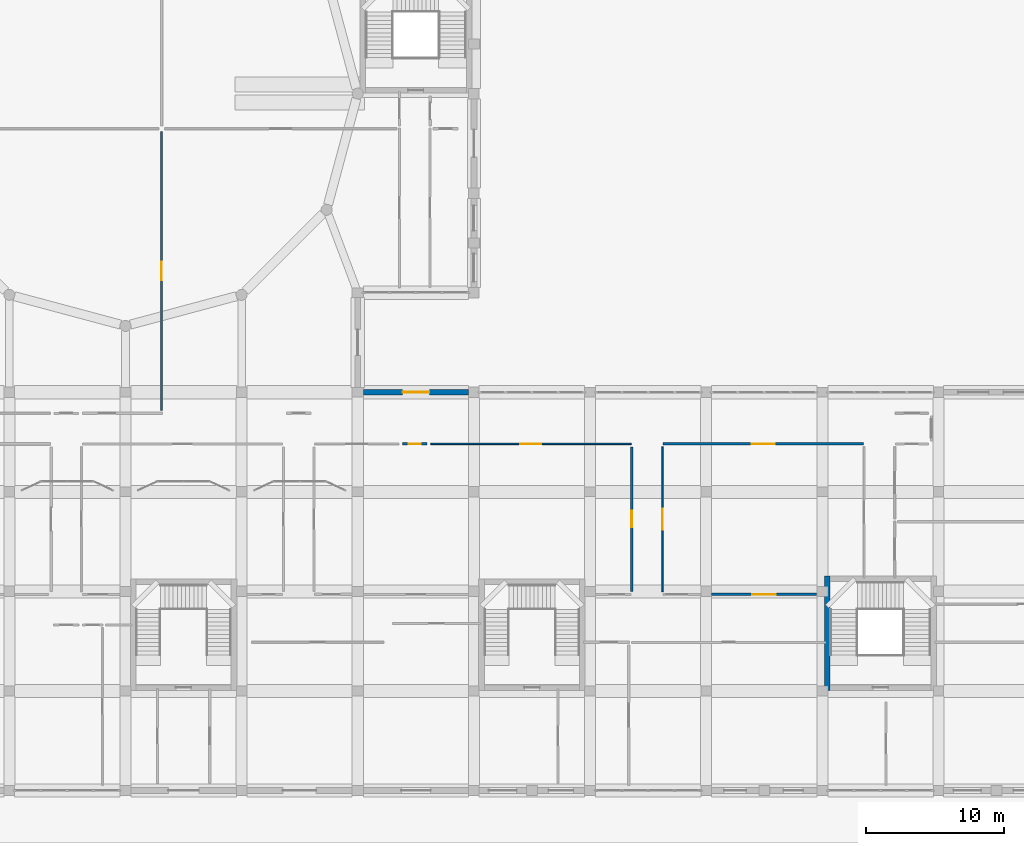
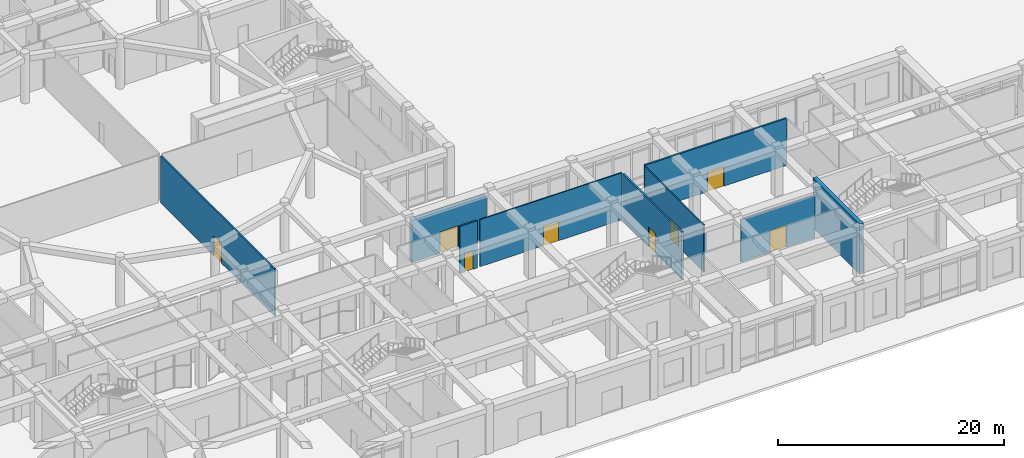
# One storey, part 68 of 84: 9 walls, 8 doors, 8 openings.
"""IFC4 building model written with IfcOpenShell, lengths in metres."""

from ifc_helpers import new_model, si_unit, derived_unit, direction, frame, frame_2d, origin, place, context, subcontext, project, spatial, rectangle, extrude, material, layer, layer_set, type_object, element, fill, save


model = new_model("IFC4")

# Units and contexts
model_context = context("Model", 3, precision=1e-05, world=origin(), true_north=direction((0.0, 1.0)))
body_context = subcontext(model_context, "Body", "Model", "MODEL_VIEW")
ifc_project = project(units=[si_unit("LENGTHUNIT", "METRE"), si_unit("AREAUNIT", "SQUARE_METRE"), si_unit("VOLUMEUNIT", "CUBIC_METRE"), si_unit("PLANEANGLEUNIT", "RADIAN"), si_unit("MASSUNIT", "GRAM", prefix="KILO"), derived_unit("THERMALTRANSMITTANCEUNIT", [(si_unit("POWERUNIT", "WATT"), 1), (si_unit("LENGTHUNIT", "METRE"), -2), (si_unit("THERMODYNAMICTEMPERATUREUNIT", "KELVIN"), -1)])], contexts=[model_context])

# Site, building, storey
site_placement = place(None, origin())
site = spatial("IfcSite", under=ifc_project, at=site_placement, CompositionType="ELEMENT")
building_placement = place(site_placement, origin())
building = spatial("IfcBuilding", under=site, at=building_placement, Name="Veybourne Emporium", CompositionType="ELEMENT")
storey_placement = place(building_placement, origin())
storey = spatial("IfcBuildingStorey", under=building, at=storey_placement, Name="L00", CompositionType="ELEMENT", Elevation=0.0)

# Wall, opening, door
ifc_material_1 = material(Name="Honed Black Granite Plinth", Category="masonry")
ifc_layer_1 = layer(ifc_material_1, 0.419921875)
ifc_layer_set_1 = layer_set([ifc_layer_1], Name="Honed Black Granite Plinth")
wall_type_1 = type_object("IfcWallType", Name="ExtWall_EW-02", PredefinedType="SOLIDWALL", material=ifc_layer_set_1)
wall_1_placement = place(storey_placement, frame((92.800048828125, 28.800048828125, 0.0), z_axis=(0.0, 0.0, 1.0), x_axis=(1.0, 0.0, 0.0)))
wall_1 = element("IfcWall", 1, at=wall_1_placement, inside=storey, type_object=wall_type_1, Name="Ground street granite plinth entrance wall 041", PredefinedType="SOLIDWALL", context=body_context, shape_type="SweptSolid", body=[
    extrude(rectangle(XDim=7.625, YDim=0.419921875, at=frame_2d((3.8125, 0.0))), origin(), (0.0, 0.0, 1.0), 4.530029296875),
])
opening_1_placement = place(wall_1_placement, frame((2.83740234375, 0.0, 0.0)))
opening_1 = element("IfcOpeningElement", 2, at=opening_1_placement, cuts=wall_1, Name="Opening EX-06", PredefinedType="OPENING", context=body_context, shape_type="SweptSolid", body=[
    extrude(rectangle(XDim=1.949951171875, YDim=2.300048828125, at=frame_2d((0.97509765625, 1.14990234375))), frame((0.0, 0.22998046875, 0.0), z_axis=(0.0, -1.0, 0.0), x_axis=(1.0, 0.0, 0.0)), (0.0, 0.0, 1.0), 0.4599609375),
])
ifc_material_2 = material(Name="Patinated Architectural Bronze", Category="bronze")
door_type_1 = type_object("IfcDoorType", Name="ExitDoor_EX-06", OperationType="DOUBLE_DOOR_SINGLE_SWING", PredefinedType="DOOR", material=ifc_material_2)
door_1_placement = place(opening_1_placement, origin())
door_1 = element("IfcDoor", 3, at=door_1_placement, inside=storey, type_object=door_type_1, Name="Pedestrian final exit door EX-06 #23", OperationType="DOUBLE_DOOR_SINGLE_SWING", OverallHeight=2.300048828125, OverallWidth=1.949951171875, PredefinedType="DOOR", context=body_context, shape_type="SweptSolid", body=[
    extrude(rectangle(XDim=1.949951171875, YDim=2.300048828125, at=frame_2d((0.97509765625, 1.14990234375))), frame((0.0, 0.02490234375, 0.0), z_axis=(0.0, -1.0, 0.0), x_axis=(1.0, 0.0, 0.0)), (0.0, 0.0, 1.0), 0.050048828125),
])
fill(opening_1, door_1)

# Wall
ifc_material_3 = material(Name="Concrete C40/50", Category="concrete")
ifc_layer_2 = layer(ifc_material_3, 0.39990234375)
ifc_layer_set_2 = layer_set([ifc_layer_2], Name="Concrete C40/50")
wall_type_2 = type_object("IfcWallType", Name="IntWall_CW-01", PredefinedType="SHEAR", material=ifc_layer_set_2)
wall_2_placement = place(storey_placement, frame((126.35009765625, 15.5, 0.0), z_axis=(0.0, 0.0, 1.0), x_axis=(0.0, -1.0, 0.0)))
element("IfcWall", 4, at=wall_2_placement, inside=storey, type_object=wall_type_2, Name="Core stair ST-06 west shear wall (L00)", PredefinedType="SHEAR", context=body_context, shape_type="SweptSolid", body=[
    extrude(rectangle(XDim=8.25, YDim=0.39990234375, at=frame_2d((4.125, 0.0))), origin(), (0.0, 0.0, 1.0), 5.39990234375),
])

# Wall, opening, door
ifc_material_4 = material(Name="Gypsum Acoustic Board", Category="gypsum")
ifc_layer_3 = layer(ifc_material_4, 0.179931640625)
ifc_layer_set_3 = layer_set([ifc_layer_3], Name="Gypsum Acoustic Board")
wall_type_3 = type_object("IfcWallType", Name="IntWall_IW-01", PredefinedType="PARTITIONING", material=ifc_layer_set_3)
wall_3_placement = place(storey_placement, frame((114.47998046875, 25.070068359375, 0.0), z_axis=(0.0, 0.0, 1.0), x_axis=(1.0, 0.0, 0.0)))
wall_3 = element("IfcWall", 5, at=wall_3_placement, inside=storey, type_object=wall_type_3, Name="L00 interior partition IW-01 #044", PredefinedType="PARTITIONING", context=body_context, shape_type="SweptSolid", body=[
    extrude(rectangle(XDim=14.489990234375, YDim=0.179931640625, at=frame_2d((7.2451171875, 0.0))), origin(), (0.0, 0.0, 1.0), 5.080078125),
])
opening_2_placement = place(wall_3_placement, frame((6.405029296875, 0.0, 0.0)))
opening_2 = element("IfcOpeningElement", 6, at=opening_2_placement, cuts=wall_3, Name="Opening D-12", PredefinedType="OPENING", context=body_context, shape_type="SweptSolid", body=[
    extrude(rectangle(XDim=1.679931640625, YDim=2.1298828125, at=frame_2d((0.83984375, 1.06494140625))), frame((0.0, 0.10986328125, 0.0), z_axis=(0.0, -1.0, 0.0), x_axis=(1.0, 0.0, 0.0)), (0.0, 0.0, 1.0), 0.219970703125),
])
ifc_material_5 = material(Name="European Oak Veneer and Bronze", Category="wood")
door_type_2 = type_object("IfcDoorType", Name="IntDoor_D-12", OperationType="DOUBLE_DOOR_SINGLE_SWING", PredefinedType="DOOR", material=ifc_material_5)
door_2_placement = place(opening_2_placement, frame((1.679931640625, 0.0, 0.0), z_axis=(0.0, 0.0, 1.0), x_axis=(-1.0, 0.0, 0.0)))
door_2 = element("IfcDoor", 7, at=door_2_placement, inside=storey, type_object=door_type_2, Name="L00 interior door D-12 (PART-L00-044)", OperationType="DOUBLE_DOOR_SINGLE_SWING", OverallHeight=2.1298828125, OverallWidth=1.679931640625, PredefinedType="DOOR", context=body_context, shape_type="SweptSolid", body=[
    extrude(rectangle(XDim=1.679931640625, YDim=2.1298828125, at=frame_2d((0.83984375, 1.06494140625))), frame((0.0, 0.02490234375, 0.0), z_axis=(0.0, -1.0, 0.0), x_axis=(1.0, 0.0, 0.0)), (0.0, 0.0, 1.0), 0.050048828125),
])
fill(opening_2, door_2)

wall_4_placement = place(storey_placement, frame((117.9951171875, 14.179931640625, 0.0), z_axis=(0.0, 0.0, 1.0), x_axis=(1.0, 0.0, 0.0)))
wall_4 = element("IfcWall", 8, at=wall_4_placement, inside=storey, type_object=wall_type_3, Name="L00 interior partition IW-01 #062", PredefinedType="PARTITIONING", context=body_context, shape_type="SweptSolid", body=[
    extrude(rectangle(XDim=7.5849609375, YDim=0.179931640625, at=frame_2d((3.79248046875, 0.0))), origin(), (0.0, 0.0, 1.0), 4.580078125),
])
opening_3_placement = place(wall_4_placement, frame((2.952392578125, 0.0, 0.0)))
opening_3 = element("IfcOpeningElement", 9, at=opening_3_placement, cuts=wall_4, Name="Opening D-30", PredefinedType="OPENING", context=body_context, shape_type="SweptSolid", body=[
    extrude(rectangle(XDim=1.679931640625, YDim=2.3701171875, at=frame_2d((0.83984375, 1.18505859375))), frame((0.0, 0.10986328125, 0.0), z_axis=(0.0, -1.0, 0.0), x_axis=(1.0, 0.0, 0.0)), (0.0, 0.0, 1.0), 0.219970703125),
])
door_type_3 = type_object("IfcDoorType", Name="IntDoor_D-30", OperationType="DOUBLE_DOOR_SINGLE_SWING", PredefinedType="DOOR", material=ifc_material_5)
door_3_placement = place(opening_3_placement, origin())
door_3 = element("IfcDoor", 10, at=door_3_placement, inside=storey, type_object=door_type_3, Name="L00 interior door D-30 (PART-L00-062)", OperationType="DOUBLE_DOOR_SINGLE_SWING", OverallHeight=2.3701171875, OverallWidth=1.679931640625, PredefinedType="DOOR", context=body_context, shape_type="SweptSolid", body=[
    extrude(rectangle(XDim=1.679931640625, YDim=2.3701171875, at=frame_2d((0.83984375, 1.18505859375))), frame((0.0, 0.02490234375, 0.0), z_axis=(0.0, -1.0, 0.0), x_axis=(1.0, 0.0, 0.0)), (0.0, 0.0, 1.0), 0.050048828125),
])
fill(opening_3, door_3)

wall_5_placement = place(storey_placement, frame((112.219970703125, 14.389892578125, 0.0), z_axis=(0.0, 0.0, 1.0), x_axis=(0.0, 1.0, 0.0)))
wall_5 = element("IfcWall", 11, at=wall_5_placement, inside=storey, type_object=wall_type_3, Name="L00 interior partition IW-01 #077", PredefinedType="PARTITIONING", context=body_context, shape_type="SweptSolid", body=[
    extrude(rectangle(XDim=10.47021484375, YDim=0.179931640625, at=frame_2d((5.235107421875, 0.0))), origin(), (0.0, 0.0, 1.0), 5.080078125),
])
opening_4_placement = place(wall_5_placement, frame((4.635009765625, 0.0, 0.0)))
opening_4 = element("IfcOpeningElement", 12, at=opening_4_placement, cuts=wall_5, Name="Opening D-09", PredefinedType="OPENING", context=body_context, shape_type="SweptSolid", body=[
    extrude(rectangle(XDim=1.199951171875, YDim=2.1298828125, at=frame_2d((0.60009765625, 1.06494140625))), frame((0.0, 0.10986328125, 0.0), z_axis=(0.0, -1.0, 0.0), x_axis=(1.0, 0.0, 0.0)), (0.0, 0.0, 1.0), 0.219970703125),
])
door_type_4 = type_object("IfcDoorType", Name="IntDoor_D-09", OperationType="NOTDEFINED", PredefinedType="DOOR", material=ifc_material_5)
door_4_placement = place(opening_4_placement, origin())
door_4 = element("IfcDoor", 13, at=door_4_placement, inside=storey, type_object=door_type_4, Name="L00 interior door D-09 (PART-L00-077)", OperationType="SINGLE_SWING_RIGHT", OverallHeight=2.1298828125, OverallWidth=1.199951171875, PredefinedType="DOOR", context=body_context, shape_type="SweptSolid", body=[
    extrude(rectangle(XDim=1.199951171875, YDim=2.1298828125, at=frame_2d((0.60009765625, 1.06494140625))), frame((0.0, 0.02490234375, 0.0), z_axis=(0.0, -1.0, 0.0), x_axis=(1.0, 0.0, 0.0)), (0.0, 0.0, 1.0), 0.050048828125),
])
fill(opening_4, door_4)

wall_6_placement = place(storey_placement, frame((95.6298828125, 25.070068359375, 0.0), z_axis=(0.0, 0.0, 1.0), x_axis=(1.0, 0.0, 0.0)))
wall_6 = element("IfcWall", 14, at=wall_6_placement, inside=storey, type_object=wall_type_3, Name="L00 interior partition IW-01 #188", PredefinedType="PARTITIONING", context=body_context, shape_type="SweptSolid", body=[
    extrude(rectangle(XDim=1.7900390625, YDim=0.179931640625, at=frame_2d((0.89501953125, 0.0))), origin(), (0.0, 0.0, 1.0), 5.080078125),
])
opening_5_placement = place(wall_6_placement, frame((0.455078125, 0.0, 0.0)))
opening_5 = element("IfcOpeningElement", 15, at=opening_5_placement, cuts=wall_6, Name="Opening D-01", PredefinedType="OPENING", context=body_context, shape_type="SweptSolid", body=[
    extrude(rectangle(XDim=0.8798828125, YDim=2.050048828125, at=frame_2d((0.43994140625, 1.02490234375))), frame((0.0, 0.10986328125, 0.0), z_axis=(0.0, -1.0, 0.0), x_axis=(1.0, 0.0, 0.0)), (0.0, 0.0, 1.0), 0.219970703125),
])
door_type_5 = type_object("IfcDoorType", Name="IntDoor_D-01", OperationType="NOTDEFINED", PredefinedType="DOOR", material=ifc_material_5)
door_5_placement = place(opening_5_placement, frame((0.8798828125, 0.0, 0.0), z_axis=(0.0, 0.0, 1.0), x_axis=(-1.0, 0.0, 0.0)))
door_5 = element("IfcDoor", 16, at=door_5_placement, inside=storey, type_object=door_type_5, Name="L00 interior door D-01 (PART-L00-188)", OperationType="SINGLE_SWING_RIGHT", OverallHeight=2.050048828125, OverallWidth=0.8798828125, PredefinedType="DOOR", context=body_context, shape_type="SweptSolid", body=[
    extrude(rectangle(XDim=0.8798828125, YDim=2.050048828125, at=frame_2d((0.43994140625, 1.02490234375))), frame((0.0, 0.02490234375, 0.0), z_axis=(0.0, -1.0, 0.0), x_axis=(1.0, 0.0, 0.0)), (0.0, 0.0, 1.0), 0.050048828125),
])
fill(opening_5, door_5)

ifc_layer_4 = layer(ifc_material_4, 0.14990234375)
ifc_layer_set_4 = layer_set([ifc_layer_4], Name="Gypsum Acoustic Board")
wall_type_4 = type_object("IfcWallType", Name="IntWall_IW-02", PredefinedType="PARTITIONING", material=ifc_layer_set_4)
wall_7_placement = place(storey_placement, frame((78.215087890625, 27.489990234375, 0.0), z_axis=(0.0, 0.0, 1.0), x_axis=(0.0, 1.0, 0.0)))
wall_7 = element("IfcWall", 17, at=wall_7_placement, inside=storey, type_object=wall_type_4, Name="L00 interior partition IW-02 #006", PredefinedType="PARTITIONING", context=body_context, shape_type="SweptSolid", body=[
    extrude(rectangle(XDim=20.155029296875, YDim=0.14990234375, at=frame_2d((10.07763671875, 0.0))), origin(), (0.0, 0.0, 1.0), 5.080078125),
])
opening_6_placement = place(wall_7_placement, frame((9.3974609375, 0.0, 0.0)))
opening_6 = element("IfcOpeningElement", 18, at=opening_6_placement, cuts=wall_7, Name="Opening D-10", PredefinedType="OPENING", context=body_context, shape_type="SweptSolid", body=[
    extrude(rectangle(XDim=1.360107421875, YDim=2.1298828125, at=frame_2d((0.68017578125, 1.06494140625))), frame((0.0, 0.094970703125, 0.0), z_axis=(0.0, -1.0, 0.0), x_axis=(1.0, 0.0, 0.0)), (0.0, 0.0, 1.0), 0.18994140625),
])
door_type_6 = type_object("IfcDoorType", Name="IntDoor_D-10", OperationType="NOTDEFINED", PredefinedType="DOOR", material=ifc_material_5)
door_6_placement = place(opening_6_placement, origin())
door_6 = element("IfcDoor", 19, at=door_6_placement, inside=storey, type_object=door_type_6, Name="L00 interior door D-10 (PART-L00-006)", OperationType="SINGLE_SWING_LEFT", OverallHeight=2.1298828125, OverallWidth=1.360107421875, PredefinedType="DOOR", context=body_context, shape_type="SweptSolid", body=[
    extrude(rectangle(XDim=1.360107421875, YDim=2.1298828125, at=frame_2d((0.68017578125, 1.06494140625))), frame((0.0, 0.02490234375, 0.0), z_axis=(0.0, -1.0, 0.0), x_axis=(1.0, 0.0, 0.0)), (0.0, 0.0, 1.0), 0.050048828125),
])
fill(opening_6, door_6)

ifc_layer_5 = layer(ifc_material_4, 0.1201171875)
ifc_layer_set_5 = layer_set([ifc_layer_5], Name="Gypsum Acoustic Board")
wall_type_5 = type_object("IfcWallType", Name="IntWall_IW-03", PredefinedType="PARTITIONING", material=ifc_layer_set_5)
wall_8_placement = place(storey_placement, frame((97.679931640625, 25.070068359375, 0.0), z_axis=(0.0, 0.0, 1.0), x_axis=(1.0, 0.0, 0.0)))
wall_8 = element("IfcWall", 20, at=wall_8_placement, inside=storey, type_object=wall_type_5, Name="L00 interior partition IW-03 #043", PredefinedType="PARTITIONING", context=body_context, shape_type="SweptSolid", body=[
    extrude(rectangle(XDim=14.489990234375, YDim=0.1201171875, at=frame_2d((7.2451171875, 0.0))), origin(), (0.0, 0.0, 1.0), 5.080078125),
])
opening_7_placement = place(wall_8_placement, frame((6.485107421875, 0.0, 0.0)))
opening_7 = element("IfcOpeningElement", 21, at=opening_7_placement, cuts=wall_8, Name="Opening D-11", PredefinedType="OPENING", context=body_context, shape_type="SweptSolid", body=[
    extrude(rectangle(XDim=1.52001953125, YDim=2.1298828125, at=frame_2d((0.760009765625, 1.06494140625))), frame((0.0, 0.080078125, 0.0), z_axis=(0.0, -1.0, 0.0), x_axis=(1.0, 0.0, 0.0)), (0.0, 0.0, 1.0), 0.16015625),
])
door_type_7 = type_object("IfcDoorType", Name="IntDoor_D-11", OperationType="NOTDEFINED", PredefinedType="DOOR", material=ifc_material_5)
door_7_placement = place(opening_7_placement, frame((1.52001953125, 0.0, 0.0), z_axis=(0.0, 0.0, 1.0), x_axis=(-1.0, 0.0, 0.0)))
door_7 = element("IfcDoor", 22, at=door_7_placement, inside=storey, type_object=door_type_7, Name="L00 interior door D-11 (PART-L00-043)", OperationType="SINGLE_SWING_RIGHT", OverallHeight=2.1298828125, OverallWidth=1.52001953125, PredefinedType="DOOR", context=body_context, shape_type="SweptSolid", body=[
    extrude(rectangle(XDim=1.52001953125, YDim=2.1298828125, at=frame_2d((0.760009765625, 1.06494140625))), frame((0.0, 0.02490234375, 0.0), z_axis=(0.0, -1.0, 0.0), x_axis=(1.0, 0.0, 0.0)), (0.0, 0.0, 1.0), 0.050048828125),
])
fill(opening_7, door_7)

wall_9_placement = place(storey_placement, frame((114.429931640625, 14.389892578125, 0.0), z_axis=(0.0, 0.0, 1.0), x_axis=(0.0, 1.0, 0.0)))
wall_9 = element("IfcWall", 23, at=wall_9_placement, inside=storey, type_object=wall_type_5, Name="L00 interior partition IW-03 #079", PredefinedType="PARTITIONING", context=body_context, shape_type="SweptSolid", body=[
    extrude(rectangle(XDim=10.47021484375, YDim=0.1201171875, at=frame_2d((5.235107421875, 0.0))), origin(), (0.0, 0.0, 1.0), 5.080078125),
])
opening_8_placement = place(wall_9_placement, frame((4.47509765625, 0.0, 0.0)))
opening_8 = element("IfcOpeningElement", 24, at=opening_8_placement, cuts=wall_9, Name="Opening D-11", PredefinedType="OPENING", context=body_context, shape_type="SweptSolid", body=[
    extrude(rectangle(XDim=1.52001953125, YDim=2.1298828125, at=frame_2d((0.760009765625, 1.06494140625))), frame((0.0, 0.080078125, 0.0), z_axis=(0.0, -1.0, 0.0), x_axis=(1.0, 0.0, 0.0)), (0.0, 0.0, 1.0), 0.16015625),
])
door_8_placement = place(opening_8_placement, frame((1.52001953125, 0.0, 0.0), z_axis=(0.0, 0.0, 1.0), x_axis=(-1.0, 0.0, 0.0)))
door_8 = element("IfcDoor", 25, at=door_8_placement, inside=storey, type_object=door_type_7, Name="L00 interior door D-11 (PART-L00-079)", OperationType="SINGLE_SWING_RIGHT", OverallHeight=2.1298828125, OverallWidth=1.52001953125, PredefinedType="DOOR", context=body_context, shape_type="SweptSolid", body=[
    extrude(rectangle(XDim=1.52001953125, YDim=2.1298828125, at=frame_2d((0.760009765625, 1.06494140625))), frame((0.0, 0.02490234375, 0.0), z_axis=(0.0, -1.0, 0.0), x_axis=(1.0, 0.0, 0.0)), (0.0, 0.0, 1.0), 0.050048828125),
])
fill(opening_8, door_8)

save(model, "model.ifc")
